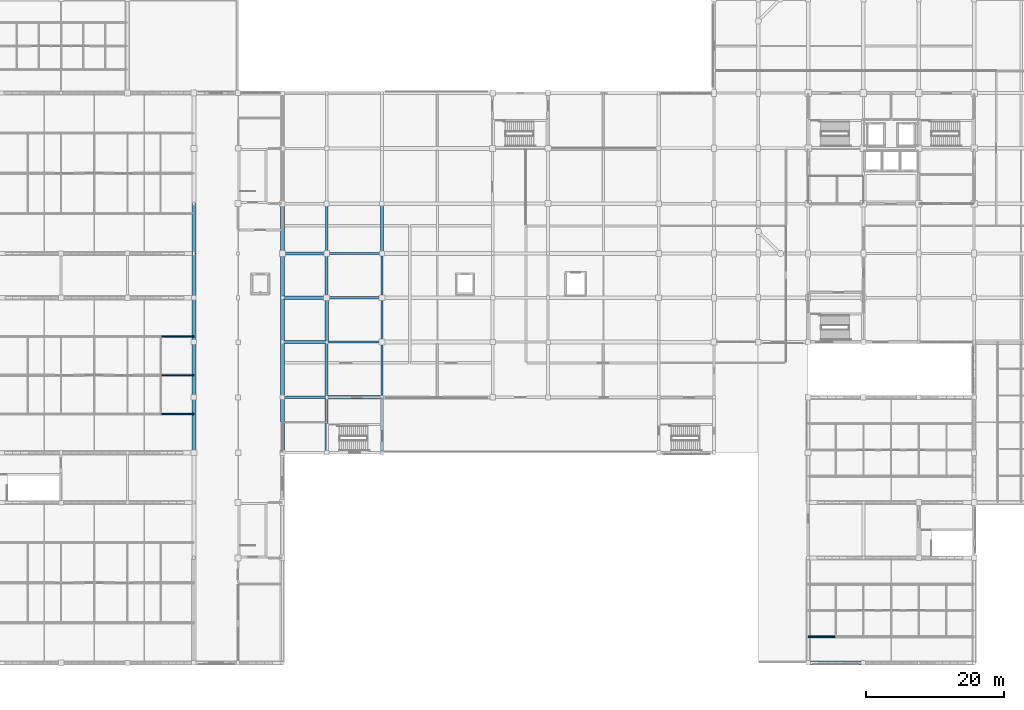
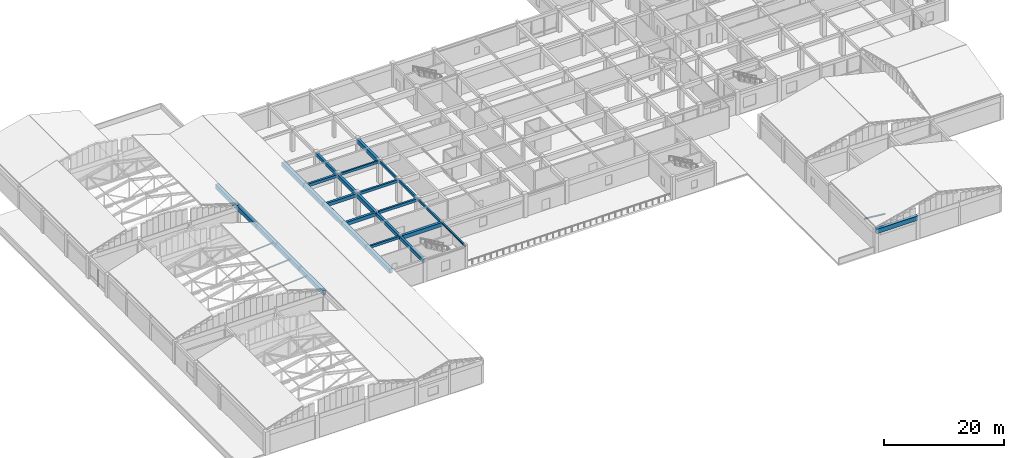
# One storey, part 10 of 61: 29 beams, 4 members.
"""IFC4 building model written with IfcOpenShell, lengths in metres."""

from ifc_helpers import new_model, si_unit, direction, frame, origin, origin_2d, place, context, subcontext, project, spatial, rectangle, hollow_circle, i_section, extrude, material, material_profile, profile_set, type_object, element, save


model = new_model("IFC4")

# Units and contexts
model_context = context("Model", 3, precision=1e-05, world=origin(), true_north=direction((0.0, 1.0)))
body_context = subcontext(model_context, "Body", "Model", "MODEL_VIEW")
ifc_project = project(units=[si_unit("LENGTHUNIT", "METRE"), si_unit("AREAUNIT", "SQUARE_METRE"), si_unit("VOLUMEUNIT", "CUBIC_METRE"), si_unit("PLANEANGLEUNIT", "RADIAN"), si_unit("MASSUNIT", "GRAM", prefix="KILO")], contexts=[model_context])

# Site, building, storey
site_placement = place(None, origin())
site = spatial("IfcSite", under=ifc_project, at=site_placement, CompositionType="ELEMENT")
building_placement = place(site_placement, origin())
building = spatial("IfcBuilding", under=site, at=building_placement, Name="Vellmiral Cinema and Media Centre", CompositionType="ELEMENT")
storey_placement = place(building_placement, frame((0.0, 0.0, 10.800048828125)))
storey = spatial("IfcBuildingStorey", under=building, at=storey_placement, Name="L02", CompositionType="ELEMENT", Elevation=10.800048828125)

# Beams
ifc_material_1 = material(Name="Concrete C40/50", Category="concrete")
ifc_material_profile_1 = material_profile(ifc_material_1, rectangle(XDim=0.300048828125, YDim=0.449951171875, at=origin_2d()), Name="RC 300x450")
ifc_profile_set_1 = profile_set([ifc_material_profile_1], Name="Concrete C40/50")
beam_type_1 = type_object("IfcBeamType", Name="BM-RC-300x450", PredefinedType="BEAM", material=ifc_profile_set_1)
beam_1_placement = place(storey_placement, frame((62.39990234375, 51.199951171875, 4.27001953125), z_axis=(0.0, 1.0, 0.0), x_axis=(-1.0, 0.0, 0.0)))
element("IfcBeam", 1, at=beam_1_placement, inside=storey, type_object=beam_type_1, Name="Grid Beam L02-Y113", PredefinedType="BEAM", context=body_context, shape_type="SweptSolid", body=[
    extrude(rectangle(XDim=0.300048828125, YDim=0.449951171875, at=origin_2d()), origin(), (0.0, 0.0, 1.0), 8.0),
])
ifc_material_2 = material(Name="Concrete C40/50", Category="concrete")
ifc_material_profile_2 = material_profile(ifc_material_2, rectangle(XDim=0.300048828125, YDim=0.5, at=origin_2d()), Name="RC 300x500")
ifc_profile_set_2 = profile_set([ifc_material_profile_2], Name="Concrete C40/50")
beam_type_2 = type_object("IfcBeamType", Name="BM-RC-300x500", PredefinedType="BEAM", material=ifc_profile_set_2)
beam_2_placement = place(storey_placement, frame((54.39990234375, 72.0, 4.244873046875), z_axis=(1.0, 0.0, 0.0), x_axis=(0.0, 1.0, 0.0)))
element("IfcBeam", 2, at=beam_2_placement, inside=storey, type_object=beam_type_2, Name="Grid Beam L02-X035", PredefinedType="BEAM", context=body_context, shape_type="SweptSolid", body=[
    extrude(rectangle(XDim=0.300048828125, YDim=0.5, at=origin_2d()), origin(), (0.0, 0.0, 1.0), 8.0),
])
beam_3_placement = place(storey_placement, frame((62.39990234375, 65.60009765625, 4.244873046875), z_axis=(0.0, 1.0, 0.0), x_axis=(-1.0, 0.0, 0.0)))
element("IfcBeam", 3, at=beam_3_placement, inside=storey, type_object=beam_type_2, Name="Grid Beam L02-Y115", PredefinedType="BEAM", context=body_context, shape_type="SweptSolid", body=[
    extrude(rectangle(XDim=0.300048828125, YDim=0.5, at=origin_2d()), origin(), (0.0, 0.0, 1.0), 6.39990234375),
])
ifc_material_3 = material(Name="Concrete C40/50", Category="concrete")
ifc_material_profile_3 = material_profile(ifc_material_3, rectangle(XDim=0.35009765625, YDim=0.5, at=origin_2d()), Name="RC 350x500")
ifc_profile_set_3 = profile_set([ifc_material_profile_3], Name="Concrete C40/50")
beam_type_3 = type_object("IfcBeamType", Name="BM-RC-350x500", PredefinedType="BEAM", material=ifc_profile_set_3)
beam_4_placement = place(storey_placement, frame((48.0, 51.199951171875, 4.244873046875), z_axis=(1.0, 0.0, 0.0), x_axis=(0.0, 1.0, 0.0)))
element("IfcBeam", 4, at=beam_4_placement, inside=storey, type_object=beam_type_3, Name="Grid Beam L02-X004", PredefinedType="BEAM", context=body_context, shape_type="SweptSolid", body=[
    extrude(rectangle(XDim=0.35009765625, YDim=0.5, at=origin_2d()), origin(), (0.0, 0.0, 1.0), 6.39990234375),
])
beam_5_placement = place(storey_placement, frame((62.39990234375, 59.199951171875, 4.244873046875), z_axis=(0.0, 1.0, 0.0), x_axis=(-1.0, 0.0, 0.0)))
element("IfcBeam", 5, at=beam_5_placement, inside=storey, type_object=beam_type_3, Name="Grid Beam L02-Y114", PredefinedType="BEAM", context=body_context, shape_type="SweptSolid", body=[
    extrude(rectangle(XDim=0.35009765625, YDim=0.5, at=origin_2d()), origin(), (0.0, 0.0, 1.0), 6.400146484375),
])
ifc_material_4 = material(Name="Concrete C40/50", Category="concrete")
ifc_material_profile_4 = material_profile(ifc_material_4, rectangle(XDim=0.35009765625, YDim=0.550048828125, at=origin_2d()), Name="RC 350x550")
ifc_profile_set_4 = profile_set([ifc_material_profile_4], Name="Concrete C40/50")
beam_type_4 = type_object("IfcBeamType", Name="BM-RC-350x550", PredefinedType="BEAM", material=ifc_profile_set_4)
for number, where, z_axis, x_axis, name in (
    (6, (54.39990234375, 59.199951171875, 4.219970703125), (1.0, 0.0, 0.0), (0.0, 1.0, 0.0), "Grid Beam L02-X011"),
    (7, (54.39990234375, 65.60009765625, 4.219970703125), (1.0, 0.0, 0.0), (0.0, 1.0, 0.0), "Grid Beam L02-X022"),
):
    element("IfcBeam", number, at=place(storey_placement, frame(where, z_axis=z_axis, x_axis=x_axis)), inside=storey, type_object=beam_type_4, Name=name, PredefinedType="BEAM", context=body_context, shape_type="SweptSolid", body=[
        extrude(rectangle(XDim=0.35009765625, YDim=0.550048828125, at=origin_2d()), origin(), (0.0, 0.0, 1.0), 8.0),
    ])
ifc_material_5 = material(Name="Concrete C40/50", Category="concrete")
ifc_material_profile_5 = material_profile(ifc_material_5, rectangle(XDim=0.39990234375, YDim=0.60009765625, at=origin_2d()), Name="RC 400x600")
ifc_profile_set_5 = profile_set([ifc_material_profile_5], Name="Concrete C40/50")
beam_type_5 = type_object("IfcBeamType", Name="BM-RC-400x600", PredefinedType="BEAM", material=ifc_profile_set_5)
beam_6_placement = place(storey_placement, frame((48.0, 72.0, 4.195068359375), z_axis=(1.0, 0.0, 0.0), x_axis=(0.0, 1.0, 0.0)))
element("IfcBeam", 8, at=beam_6_placement, inside=storey, type_object=beam_type_5, Name="Grid Beam L02-X034", PredefinedType="BEAM", context=body_context, shape_type="SweptSolid", body=[
    extrude(rectangle(XDim=0.39990234375, YDim=0.60009765625, at=origin_2d()), origin(), (0.0, 0.0, 1.0), 6.39990234375),
])
ifc_material_6 = material(Name="Concrete C40/50", Category="concrete")
ifc_material_profile_6 = material_profile(ifc_material_6, rectangle(XDim=0.39990234375, YDim=0.64990234375, at=origin_2d()), Name="RC 400x650")
ifc_profile_set_6 = profile_set([ifc_material_profile_6], Name="Concrete C40/50")
beam_type_6 = type_object("IfcBeamType", Name="BM-RC-400x650", PredefinedType="BEAM", material=ifc_profile_set_6)
beam_7_placement = place(storey_placement, frame((54.39990234375, 72.0, 4.169921875), z_axis=(0.0, 1.0, 0.0), x_axis=(-1.0, 0.0, 0.0)))
element("IfcBeam", 9, at=beam_7_placement, inside=storey, type_object=beam_type_6, Name="Grid Beam L02-Y109", PredefinedType="BEAM", context=body_context, shape_type="SweptSolid", body=[
    extrude(rectangle(XDim=0.39990234375, YDim=0.64990234375, at=origin_2d()), origin(), (0.0, 0.0, 1.0), 7.199951171875),
])
ifc_material_7 = material(Name="Concrete C40/50", Category="concrete")
ifc_material_profile_7 = material_profile(ifc_material_7, rectangle(XDim=0.449951171875, YDim=0.699951171875, at=origin_2d()), Name="RC 450x700")
ifc_profile_set_7 = profile_set([ifc_material_profile_7], Name="Concrete C40/50")
beam_type_7 = type_object("IfcBeamType", Name="BM-RC-450x700", PredefinedType="BEAM", material=ifc_profile_set_7)
for number, where, z_axis, x_axis, name in (
    (10, (48.0, 59.199951171875, 4.14501953125), (1.0, 0.0, 0.0), (0.0, 1.0, 0.0), "Grid Beam L02-X010"),
    (11, (48.0, 65.60009765625, 4.14501953125), (1.0, 0.0, 0.0), (0.0, 1.0, 0.0), "Grid Beam L02-X021"),
):
    element("IfcBeam", number, at=place(storey_placement, frame(where, z_axis=z_axis, x_axis=x_axis)), inside=storey, type_object=beam_type_7, Name=name, PredefinedType="BEAM", context=body_context, shape_type="SweptSolid", body=[
        extrude(rectangle(XDim=0.449951171875, YDim=0.699951171875, at=origin_2d()), origin(), (0.0, 0.0, 1.0), 6.39990234375),
    ])
beam_8_placement = place(storey_placement, frame((54.39990234375, 51.199951171875, 4.14501953125), z_axis=(0.0, 1.0, 0.0), x_axis=(-1.0, 0.0, 0.0)))
element("IfcBeam", 12, at=beam_8_placement, inside=storey, type_object=beam_type_7, Name="Grid Beam L02-Y106", PredefinedType="BEAM", context=body_context, shape_type="SweptSolid", body=[
    extrude(rectangle(XDim=0.449951171875, YDim=0.699951171875, at=origin_2d()), origin(), (0.0, 0.0, 1.0), 8.0),
])
ifc_material_8 = material(Name="Concrete C40/50", Category="concrete")
ifc_material_profile_8 = material_profile(ifc_material_8, rectangle(XDim=0.449951171875, YDim=0.75, at=origin_2d()), Name="RC 450x750")
ifc_profile_set_8 = profile_set([ifc_material_profile_8], Name="Concrete C40/50")
beam_type_8 = type_object("IfcBeamType", Name="BM-RC-450x750", PredefinedType="BEAM", material=ifc_profile_set_8)
beam_9_placement = place(storey_placement, frame((54.39990234375, 43.199951171875, 4.119873046875), z_axis=(0.0, 1.0, 0.0), x_axis=(-1.0, 0.0, 0.0)))
element("IfcBeam", 13, at=beam_9_placement, inside=storey, type_object=beam_type_8, Name="Grid Beam L02-Y105", PredefinedType="BEAM", context=body_context, shape_type="SweptSolid", body=[
    extrude(rectangle(XDim=0.449951171875, YDim=0.75, at=origin_2d()), origin(), (0.0, 0.0, 1.0), 8.0),
])
beam_10_placement = place(storey_placement, frame((54.39990234375, 65.60009765625, 4.119873046875), z_axis=(0.0, 1.0, 0.0), x_axis=(-1.0, 0.0, 0.0)))
element("IfcBeam", 14, at=beam_10_placement, inside=storey, type_object=beam_type_8, Name="Grid Beam L02-Y108", PredefinedType="BEAM", context=body_context, shape_type="SweptSolid", body=[
    extrude(rectangle(XDim=0.449951171875, YDim=0.75, at=origin_2d()), origin(), (0.0, 0.0, 1.0), 6.39990234375),
])
ifc_material_9 = material(Name="Concrete C40/50", Category="concrete")
ifc_material_profile_9 = material_profile(ifc_material_9, rectangle(XDim=0.5, YDim=0.800048828125, at=origin_2d()), Name="RC 500x800")
ifc_profile_set_9 = profile_set([ifc_material_profile_9], Name="Concrete C40/50")
beam_type_9 = type_object("IfcBeamType", Name="BM-RC-500x800", PredefinedType="BEAM", material=ifc_profile_set_9)
beam_11_placement = place(storey_placement, frame((54.39990234375, 51.199951171875, 4.094970703125), z_axis=(1.0, 0.0, 0.0), x_axis=(0.0, 1.0, 0.0)))
element("IfcBeam", 15, at=beam_11_placement, inside=storey, type_object=beam_type_9, Name="Grid Beam L02-X005", PredefinedType="BEAM", context=body_context, shape_type="SweptSolid", body=[
    extrude(rectangle(XDim=0.5, YDim=0.800048828125, at=origin_2d()), origin(), (0.0, 0.0, 1.0), 8.0),
])
beam_12_placement = place(storey_placement, frame((54.39990234375, 59.199951171875, 4.094970703125), z_axis=(0.0, 1.0, 0.0), x_axis=(-1.0, 0.0, 0.0)))
element("IfcBeam", 16, at=beam_12_placement, inside=storey, type_object=beam_type_9, Name="Grid Beam L02-Y107", PredefinedType="BEAM", context=body_context, shape_type="SweptSolid", body=[
    extrude(rectangle(XDim=0.5, YDim=0.800048828125, at=origin_2d()), origin(), (0.0, 0.0, 1.0), 6.400146484375),
])
ifc_material_10 = material(Name="Concrete C40/50", Category="concrete")
ifc_material_profile_10 = material_profile(ifc_material_10, rectangle(XDim=0.5, YDim=0.85009765625, at=origin_2d()), Name="RC 500x850")
ifc_profile_set_10 = profile_set([ifc_material_profile_10], Name="Concrete C40/50")
beam_type_10 = type_object("IfcBeamType", Name="BM-RC-500x850", PredefinedType="BEAM", material=ifc_profile_set_10)
beam_13_placement = place(storey_placement, frame((62.39990234375, 72.0, 4.070068359375), z_axis=(0.0, 1.0, 0.0), x_axis=(-1.0, 0.0, 0.0)))
element("IfcBeam", 17, at=beam_13_placement, inside=storey, type_object=beam_type_10, Name="Grid Beam L02-Y116", PredefinedType="BEAM", context=body_context, shape_type="SweptSolid", body=[
    extrude(rectangle(XDim=0.5, YDim=0.85009765625, at=origin_2d()), origin(), (0.0, 0.0, 1.0), 7.199951171875),
])
ifc_material_11 = material(Name="Concrete C40/50", Category="concrete")
ifc_material_profile_11 = material_profile(ifc_material_11, rectangle(XDim=0.60009765625, YDim=0.89990234375, at=origin_2d()), Name="RC 600x900")
ifc_profile_set_11 = profile_set([ifc_material_profile_11], Name="Concrete C40/50")
beam_type_11 = type_object("IfcBeamType", Name="RING-BM-600x900", PredefinedType="BEAM", material=ifc_profile_set_11)
for number, where, z_axis, x_axis, name in (
    (18, (35.199951171875, 43.199951171875, 4.349853515625), (0.0, 1.0, 0.0), (-1.0, 0.0, 0.0), "Cinema Screen 2 Ring Beam 10"),
    (19, (35.199951171875, 51.199951171875, 4.349853515625), (0.0, 1.0, 0.0), (-1.0, 0.0, 0.0), "Cinema Screen 2 Ring Beam 11"),
):
    element("IfcBeam", number, at=place(storey_placement, frame(where, z_axis=z_axis, x_axis=x_axis)), inside=storey, type_object=beam_type_11, Name=name, PredefinedType="BEAM", context=body_context, shape_type="SweptSolid", body=[
        extrude(rectangle(XDim=0.60009765625, YDim=0.89990234375, at=origin_2d()), origin(), (0.0, 0.0, 1.0), 8.0),
    ])
beam_14_placement = place(storey_placement, frame((35.199951171875, 59.199951171875, 4.349853515625), z_axis=(0.0, 1.0, 0.0), x_axis=(-1.0, 0.0, 0.0)))
element("IfcBeam", 20, at=beam_14_placement, inside=storey, type_object=beam_type_11, Name="Cinema Screen 2 Ring Beam 12", PredefinedType="BEAM", context=body_context, shape_type="SweptSolid", body=[
    extrude(rectangle(XDim=0.60009765625, YDim=0.89990234375, at=origin_2d()), origin(), (0.0, 0.0, 1.0), 6.400146484375),
])
beam_15_placement = place(storey_placement, frame((35.199951171875, 72.0, 4.349853515625), z_axis=(0.0, 1.0, 0.0), x_axis=(-1.0, 0.0, 0.0)))
element("IfcBeam", 21, at=beam_15_placement, inside=storey, type_object=beam_type_11, Name="Cinema Screen 3 Ring Beam 10", PredefinedType="BEAM", context=body_context, shape_type="SweptSolid", body=[
    extrude(rectangle(XDim=0.60009765625, YDim=0.89990234375, at=origin_2d()), origin(), (0.0, 0.0, 1.0), 7.199951171875),
])
beam_16_placement = place(storey_placement, frame((124.0, 12.800048828125, 4.349853515625), z_axis=(1.0, 0.0, 0.0), x_axis=(0.0, 1.0, 0.0)))
element("IfcBeam", 22, at=beam_16_placement, inside=storey, type_object=beam_type_11, Name="Cinema Screen 5 Ring Beam 01", PredefinedType="BEAM", context=body_context, shape_type="SweptSolid", body=[
    extrude(rectangle(XDim=0.60009765625, YDim=0.89990234375, at=origin_2d()), origin(), (0.0, 0.0, 1.0), 8.0),
])
beam_17_placement = place(storey_placement, frame((35.199951171875, 65.60009765625, 4.349853515625), z_axis=(0.0, 1.0, 0.0), x_axis=(-1.0, 0.0, 0.0)))
element("IfcBeam", 23, at=beam_17_placement, inside=storey, type_object=beam_type_11, Name="West Premiere Concourse Gallery Vault Ring Beam 06", PredefinedType="BEAM", context=body_context, shape_type="SweptSolid", body=[
    extrude(rectangle(XDim=0.60009765625, YDim=0.89990234375, at=origin_2d()), origin(), (0.0, 0.0, 1.0), 6.39990234375),
])
for number, where, z_axis, x_axis, name in (
    (24, (48.0, 43.199951171875, 4.349853515625), (0.0, 1.0, 0.0), (-1.0, 0.0, 0.0), "West Premiere Concourse Gallery Vault Ring Beam 10"),
    (25, (48.0, 51.199951171875, 4.349853515625), (0.0, 1.0, 0.0), (-1.0, 0.0, 0.0), "West Premiere Concourse Gallery Vault Ring Beam 11"),
):
    element("IfcBeam", number, at=place(storey_placement, frame(where, z_axis=z_axis, x_axis=x_axis)), inside=storey, type_object=beam_type_11, Name=name, PredefinedType="BEAM", context=body_context, shape_type="SweptSolid", body=[
        extrude(rectangle(XDim=0.60009765625, YDim=0.89990234375, at=origin_2d()), origin(), (0.0, 0.0, 1.0), 8.0),
    ])
beam_18_placement = place(storey_placement, frame((48.0, 59.199951171875, 4.349853515625), z_axis=(0.0, 1.0, 0.0), x_axis=(-1.0, 0.0, 0.0)))
element("IfcBeam", 26, at=beam_18_placement, inside=storey, type_object=beam_type_11, Name="West Premiere Concourse Gallery Vault Ring Beam 12", PredefinedType="BEAM", context=body_context, shape_type="SweptSolid", body=[
    extrude(rectangle(XDim=0.60009765625, YDim=0.89990234375, at=origin_2d()), origin(), (0.0, 0.0, 1.0), 6.400146484375),
])
beam_19_placement = place(storey_placement, frame((48.0, 65.60009765625, 4.349853515625), z_axis=(0.0, 1.0, 0.0), x_axis=(-1.0, 0.0, 0.0)))
element("IfcBeam", 27, at=beam_19_placement, inside=storey, type_object=beam_type_11, Name="West Premiere Concourse Gallery Vault Ring Beam 13", PredefinedType="BEAM", context=body_context, shape_type="SweptSolid", body=[
    extrude(rectangle(XDim=0.60009765625, YDim=0.89990234375, at=origin_2d()), origin(), (0.0, 0.0, 1.0), 6.39990234375),
])
beam_20_placement = place(storey_placement, frame((48.0, 72.0, 4.349853515625), z_axis=(0.0, 1.0, 0.0), x_axis=(-1.0, 0.0, 0.0)))
element("IfcBeam", 28, at=beam_20_placement, inside=storey, type_object=beam_type_11, Name="West Premiere Concourse Gallery Vault Ring Beam 14", PredefinedType="BEAM", context=body_context, shape_type="SweptSolid", body=[
    extrude(rectangle(XDim=0.60009765625, YDim=0.89990234375, at=origin_2d()), origin(), (0.0, 0.0, 1.0), 7.199951171875),
])
ifc_material_12 = material(Name="Steel S355", Category="steel")
ifc_material_profile_12 = material_profile(ifc_material_12, i_section(OverallWidth=0.300048828125, OverallDepth=0.300048828125, WebThickness=0.010986328125, FlangeThickness=0.01904296875, FilletRadius=0.027099609375, at=origin_2d()), Name="HEB 300")
ifc_profile_set_12 = profile_set([ifc_material_profile_12], Name="Steel S355")
beam_type_12 = type_object("IfcBeamType", Name="SBM-HEB300", PredefinedType="SPANDREL", material=ifc_profile_set_12)
beam_21_placement = place(storey_placement, frame((62.39990234375, 43.199951171875, 4.344970703125), z_axis=(0.0, 1.0, 0.0), x_axis=(-1.0, 0.0, 0.0)))
element("IfcBeam", 29, at=beam_21_placement, inside=storey, type_object=beam_type_12, Name="Grid Beam L02-Y112", PredefinedType="SPANDREL", context=body_context, shape_type="SweptSolid", body=[
    extrude(i_section(OverallWidth=0.300048828125, OverallDepth=0.300048828125, WebThickness=0.010986328125, FlangeThickness=0.01904296875, FilletRadius=0.027099609375, at=origin_2d()), origin(), (0.0, 0.0, 1.0), 8.0),
])

# Members
ifc_material_13 = material(Name="Steel S355", Category="steel")
ifc_material_profile_13 = material_profile(ifc_material_13, hollow_circle(Radius=0.136474609375, WallThickness=0.012451171875, at=origin_2d()), Name="CHS 273.0x12.5")
ifc_profile_set_13 = profile_set([ifc_material_profile_13], Name="Steel S355")
member_type_1 = type_object("IfcMemberType", Name="TBR-CHS273", PredefinedType="BRACE", material=ifc_profile_set_13)
for number, where, z_axis, x_axis, name in (
    (30, (30.39990234375, 48.800048828125, 4.14990234375), (0.997427444623, 0.0, 0.071683280568), (0.0, 1.0, 0.0), "Roof Truss TR-02.1 Diagonal 6"),
    (31, (30.39990234375, 54.39990234375, 4.14990234375), (0.997427444623, 0.0, 0.071683280568), (0.0, 1.0, 0.0), "Roof Truss TR-02.2 Diagonal 6"),
    (32, (30.39990234375, 60.0, 4.14990234375), (0.997427444623, 0.0, 0.071683280568), (0.0, 1.0, 0.0), "Roof Truss TR-02.3 Diagonal 6"),
):
    element("IfcMember", number, at=place(storey_placement, frame(where, z_axis=z_axis, x_axis=x_axis)), inside=storey, type_object=member_type_1, Name=name, PredefinedType="BRACE", context=body_context, shape_type="SweptSolid", body=[
        extrude(hollow_circle(Radius=0.136474609375, WallThickness=0.012451171875, at=origin_2d()), origin(), (0.0, 0.0, 1.0), 4.8125),
    ])
ifc_material_14 = material(Name="Steel S355", Category="steel")
ifc_material_profile_14 = material_profile(ifc_material_14, hollow_circle(Radius=0.161865234375, WallThickness=0.012451171875, at=origin_2d()), Name="CHS 323.9x12.5")
ifc_profile_set_14 = profile_set([ifc_material_profile_14], Name="Steel S355")
member_type_2 = type_object("IfcMemberType", Name="TBR-CHS324", PredefinedType="BRACE", material=ifc_profile_set_14)
member_placement = place(storey_placement, frame((124.0, 16.60009765625, 4.5), z_axis=(0.996191605278, 0.0, -0.087191086546), x_axis=(0.0, 1.0, 0.0)))
element("IfcMember", 33, at=member_placement, inside=storey, type_object=member_type_2, Name="Roof Truss TR-05.1 Diagonal 1", PredefinedType="BRACE", context=body_context, shape_type="SweptSolid", body=[
    extrude(hollow_circle(Radius=0.161865234375, WallThickness=0.012451171875, at=origin_2d()), origin(), (0.0, 0.0, 1.0), 4.015380859375),
])

save(model, "model.ifc")
